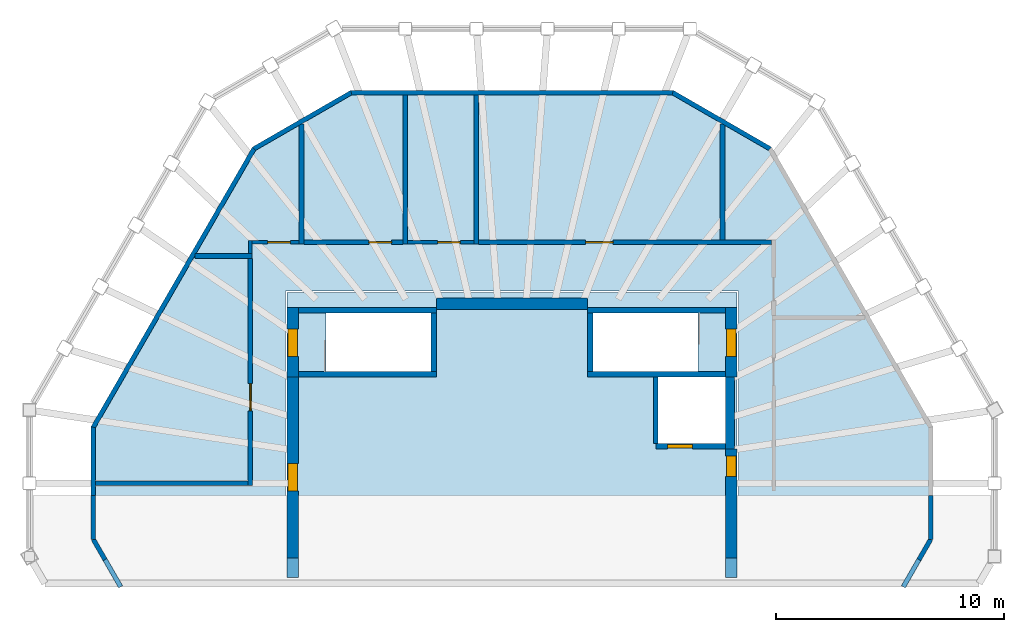
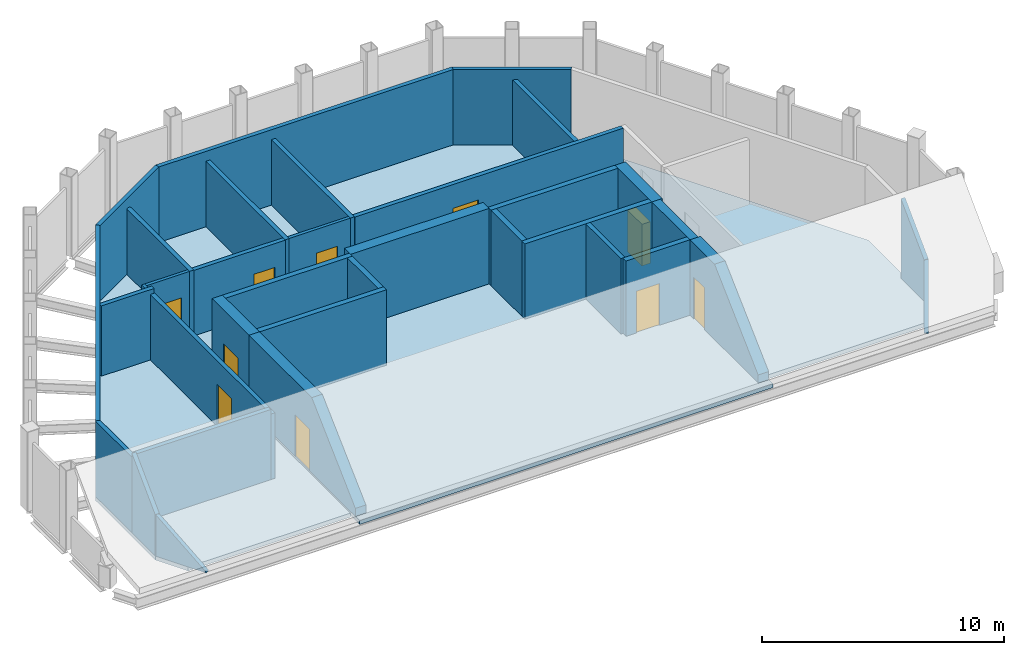
# One storey, part 2 of 4: 35 walls, 10 doors, 2 slabs, 10 openings.
"""IFC4 building model written with IfcOpenShell, lengths in metres."""

from ifc_helpers import new_model, si_unit, direction, frame, frame_2d, origin, place, context, subcontext, project, spatial, polyline, rectangle, outline, extrude, material, layer, layer_set, type_object, element, fill, save


model = new_model("IFC4")

# Units and contexts
model_context = context("Model", 3, precision=1e-05, world=origin(), true_north=direction((0.0, 1.0)))
body_context = subcontext(model_context, "Body", "Model", "MODEL_VIEW")
ifc_project = project(units=[si_unit("LENGTHUNIT", "METRE"), si_unit("AREAUNIT", "SQUARE_METRE"), si_unit("VOLUMEUNIT", "CUBIC_METRE"), si_unit("PLANEANGLEUNIT", "RADIAN"), si_unit("MASSUNIT", "GRAM", prefix="KILO")], contexts=[model_context])

# Site, building, storey
site_placement = place(None, origin())
site = spatial("IfcSite", under=ifc_project, at=site_placement, CompositionType="ELEMENT")
building_placement = place(site_placement, origin())
building = spatial("IfcBuilding", under=site, at=building_placement, Name="Frailejon Research Tower", CompositionType="ELEMENT")
storey_placement = place(building_placement, frame((0.0, 0.0, 364.60009765625)))
storey = spatial("IfcBuildingStorey", under=building, at=storey_placement, Name="L82", CompositionType="ELEMENT", Elevation=364.60009765625)

# Slabs
ifc_material_1 = material(Name="Concrete C50/60", Category="concrete")
ifc_layer_1 = layer(ifc_material_1, 0.199951171875)
ifc_layer_set_1 = layer_set([ifc_layer_1], Name="Core floor slab 200 C50/60")
slab_type_1 = type_object("IfcSlabType", Name="Core floor slab 200 C50/60", PredefinedType="FLOOR", material=ifc_layer_set_1)
slab_1_placement = place(storey_placement, frame((0.0, 0.0, -0.2001953125)))
element("IfcSlab", 1, at=slab_1_placement, inside=storey, type_object=slab_type_1, Name="Core floor slab", PredefinedType="FLOOR", context=body_context, shape_type="SweptSolid", body=[
    extrude(outline(polyline([(-9.85009765625, 8.35009765625), (9.85009765625, 8.35009765625), (9.85009765625, -4.480224609375), (-9.85009765625, -4.480224609375), (-9.85009765625, 8.35009765625)]), holes=[polyline([(9.35009765625, 1.75), (9.35009765625, 4.64990234375), (6.39990234375, 4.64990234375), (6.39990234375, 1.75), (9.35009765625, 1.75)]), polyline([(-8.14697265625, 4.89990234375), (-3.550048828125, 4.89990234375), (-3.550048828125, 7.449951171875), (-8.14697265625, 7.449951171875), (-8.14697265625, 4.89990234375)]), polyline([(8.14697265625, 7.449951171875), (3.550048828125, 7.449951171875), (3.550048828125, 4.89990234375), (8.14697265625, 4.89990234375), (8.14697265625, 7.449951171875)])]), origin(), (0.0, 0.0, 1.0), 0.2001953125),
])
ifc_material_2 = material(Name="Concrete C30/37", Category="concrete")
ifc_layer_2 = layer(ifc_material_2, 0.199951171875)
ifc_layer_set_2 = layer_set([ifc_layer_2], Name="Crown slab 200")
slab_type_2 = type_object("IfcSlabType", Name="Crown slab 200", PredefinedType="FLOOR", material=ifc_layer_set_2)
slab_2_placement = place(storey_placement, frame((0.0, 0.0, -0.2001953125)))
element("IfcSlab", 2, at=slab_2_placement, inside=storey, type_object=slab_type_2, Name="Floor slab L82", PredefinedType="FLOOR", context=body_context, shape_type="SweptSolid", body=[
    extrude(outline(polyline([(-11.36376953125, 14.71728515625), (-18.427490234375, 2.482666015625), (-18.427490234375, -2.482666015625), (-17.6494140625, -3.830078125), (-9.909912109375, -3.830078125), (-9.909912109375, 8.409912109375), (9.909912109375, 8.409912109375), (9.909912109375, -3.830078125), (17.6494140625, -3.830078125), (18.427490234375, -2.482666015625), (18.427490234375, 2.482666015625), (11.36376953125, 14.71728515625), (7.063720703125, 17.199951171875), (-7.063720703125, 17.199951171875), (-11.36376953125, 14.71728515625)])), origin(), (0.0, 0.0, 1.0), 0.2001953125),
])

# Wall
ifc_material_3 = material(Name="Concrete C50/60", Category="concrete")
ifc_layer_3 = layer(ifc_material_3, 0.39990234375)
ifc_layer_set_3 = layer_set([ifc_layer_3], Name="Core shear wall 400 C50/60")
wall_type_1 = type_object("IfcWallType", Name="Core shear wall 400 C50/60", PredefinedType="SHEAR", material=ifc_layer_set_3)
wall_1_placement = place(storey_placement, frame((9.550048828125, 1.5, 0.0), z_axis=(0.0, 0.0, 1.0), x_axis=(0.0, 1.0, 0.0)))
element("IfcWall", 3, at=wall_1_placement, inside=storey, type_object=wall_type_1, Name="Core shear wall", PredefinedType="SHEAR", context=body_context, shape_type="SweptSolid", body=[
    extrude(rectangle(XDim=3.14990234375, YDim=0.39990234375, at=frame_2d((1.574951171875, 0.0))), origin(), (0.0, 0.0, 1.0), 3.7998046875),
])

# Wall, opening, door
ifc_material_4 = material(Name="Concrete C50/60", Category="concrete")
ifc_layer_4 = layer(ifc_material_4, 0.5)
ifc_layer_set_4 = layer_set([ifc_layer_4], Name="Core shear wall 500 C50/60")
wall_type_2 = type_object("IfcWallType", Name="Core shear wall 500 C50/60", PredefinedType="SHEAR", material=ifc_layer_set_4)
wall_2_placement = place(storey_placement, frame((9.60009765625, -4.130126953125, 0.0), z_axis=(0.0, 0.0, 1.0), x_axis=(0.0, 1.0, 0.0)))
wall_2 = element("IfcWall", 4, at=wall_2_placement, inside=storey, type_object=wall_type_2, Name="Core shear wall", PredefinedType="SHEAR", context=body_context, shape_type="SweptSolid", body=[
    extrude(outline(polyline([(0.0, 0.0), (5.630126953125, 0.0), (5.630126953125, 3.7998046875), (3.60009765625, 3.7998046875), (0.0, 0.39990234375), (0.0, 0.0)])), frame((0.0, 0.25, 0.0), z_axis=(0.0, -1.0, 0.0), x_axis=(1.0, 0.0, 0.0)), (0.0, 0.0, 1.0), 0.5),
])
opening_1_placement = place(wall_2_placement, frame((4.43017578125, 0.0, 0.0)))
opening_1 = element("IfcOpeningElement", 5, at=opening_1_placement, cuts=wall_2, Name="Opening D8", PredefinedType="OPENING", context=body_context, shape_type="SweptSolid", body=[
    extrude(rectangle(XDim=0.89990234375, YDim=2.10009765625, at=frame_2d((0.449951171875, 1.050048828125))), frame((0.0, 0.260009765625, 0.0), z_axis=(0.0, -1.0, 0.0), x_axis=(1.0, 0.0, 0.0)), (0.0, 0.0, 1.0), 0.52001953125),
])
ifc_material_5 = material(Name="Steel", Category="steel")
door_type_1 = type_object("IfcDoorType", Name="Core room door", OperationType="SINGLE_SWING_LEFT", PredefinedType="DOOR", material=ifc_material_5)
door_1_placement = place(opening_1_placement, origin())
door_1 = element("IfcDoor", 6, at=door_1_placement, inside=storey, type_object=door_type_1, Name="Lift lobby door", OperationType="SINGLE_SWING_RIGHT", OverallHeight=2.10009765625, OverallWidth=0.89990234375, PredefinedType="DOOR", context=body_context, shape_type="SweptSolid", body=[
    extrude(rectangle(XDim=0.89990234375, YDim=2.10009765625, at=frame_2d((0.449951171875, 1.050048828125))), frame((0.0, 0.199951171875, 0.0), z_axis=(0.0, -1.0, 0.0), x_axis=(1.0, 0.0, 0.0)), (0.0, 0.0, 1.0), 0.39990234375),
])
fill(opening_1, door_1)

# Wall
wall_3_placement = place(storey_placement, frame((3.300048828125, 7.85009765625, 0.0), z_axis=(0.0, 0.0, 1.0), x_axis=(-1.0, 0.0, 0.0)))
element("IfcWall", 7, at=wall_3_placement, inside=storey, type_object=wall_type_2, Name="Core shear wall", PredefinedType="SHEAR", context=body_context, shape_type="SweptSolid", body=[
    extrude(rectangle(XDim=6.60009765625, YDim=0.5, at=frame_2d((3.300048828125, 0.0))), origin(), (0.0, 0.0, 1.0), 3.7998046875),
])

# Wall, opening, door
wall_4_placement = place(storey_placement, frame((-9.60009765625, 4.64990234375, 0.0), z_axis=(0.0, 0.0, 1.0), x_axis=(0.0, -1.0, 0.0)))
wall_4 = element("IfcWall", 8, at=wall_4_placement, inside=storey, type_object=wall_type_2, Name="Core shear wall", PredefinedType="SHEAR", context=body_context, shape_type="SweptSolid", body=[
    extrude(outline(polyline([(0.0, 0.0), (8.780029296875, 0.0), (8.7802734375, 0.39990234375), (5.18017578125, 3.7998046875), (0.0, 3.7998046875), (0.0, 0.0)])), frame((0.0, 0.25, 0.0), z_axis=(0.0, -1.0, 0.0), x_axis=(1.0, 0.0, 0.0)), (0.0, 0.0, 1.0), 0.5),
])
opening_2_placement = place(wall_4_placement, frame((3.7802734375, 0.0, 0.0)))
opening_2 = element("IfcOpeningElement", 9, at=opening_2_placement, cuts=wall_4, Name="Opening D6", PredefinedType="OPENING", context=body_context, shape_type="SweptSolid", body=[
    extrude(rectangle(XDim=1.199951171875, YDim=2.10009765625, at=frame_2d((0.60009765625, 1.050048828125))), frame((0.0, 0.260009765625, 0.0), z_axis=(0.0, -1.0, 0.0), x_axis=(1.0, 0.0, 0.0)), (0.0, 0.0, 1.0), 0.52001953125),
])
ifc_material_6 = material(Name="Steel", Category="steel")
door_type_2 = type_object("IfcDoorType", Name="Plant door", OperationType="SINGLE_SWING_LEFT", PredefinedType="DOOR", material=ifc_material_6)
door_2_placement = place(opening_2_placement, origin())
door_2 = element("IfcDoor", 10, at=door_2_placement, inside=storey, type_object=door_type_2, Name="Room door", OperationType="SINGLE_SWING_LEFT", OverallHeight=2.10009765625, OverallWidth=1.199951171875, PredefinedType="DOOR", context=body_context, shape_type="SweptSolid", body=[
    extrude(rectangle(XDim=1.199951171875, YDim=2.10009765625, at=frame_2d((0.60009765625, 1.050048828125))), frame((0.0, 0.199951171875, 0.0), z_axis=(0.0, -1.0, 0.0), x_axis=(1.0, 0.0, 0.0)), (0.0, 0.0, 1.0), 0.39990234375),
])
fill(opening_2, door_2)

wall_5_placement = place(storey_placement, frame((-9.60009765625, 4.64990234375, 0.0), z_axis=(0.0, 0.0, 1.0), x_axis=(0.0, 1.0, 0.0)))
wall_5 = element("IfcWall", 11, at=wall_5_placement, inside=storey, type_object=wall_type_2, Name="Core shear wall", PredefinedType="SHEAR", context=body_context, shape_type="SweptSolid", body=[
    extrude(rectangle(XDim=3.050048828125, YDim=0.5, at=frame_2d((1.52490234375, 0.0))), origin(), (0.0, 0.0, 1.0), 3.7998046875),
])
opening_3_placement = place(wall_5_placement, frame((0.89990234375, 0.0, 0.0)))
opening_3 = element("IfcOpeningElement", 12, at=opening_3_placement, cuts=wall_5, Name="Opening D7", PredefinedType="OPENING", context=body_context, shape_type="SweptSolid", body=[
    extrude(rectangle(XDim=1.199951171875, YDim=2.10009765625, at=frame_2d((0.60009765625, 1.050048828125))), frame((0.0, 0.260009765625, 0.0), z_axis=(0.0, -1.0, 0.0), x_axis=(1.0, 0.0, 0.0)), (0.0, 0.0, 1.0), 0.52001953125),
])
ifc_material_7 = material(Name="Steel", Category="steel")
door_type_3 = type_object("IfcDoorType", Name="Stair exit door", OperationType="SINGLE_SWING_LEFT", PredefinedType="DOOR", material=ifc_material_7)
door_3_placement = place(opening_3_placement, origin())
door_3 = element("IfcDoor", 13, at=door_3_placement, inside=storey, type_object=door_type_3, Name="Stair door ST1", OperationType="SINGLE_SWING_LEFT", OverallHeight=2.10009765625, OverallWidth=1.199951171875, PredefinedType="DOOR", context=body_context, shape_type="SweptSolid", body=[
    extrude(rectangle(XDim=1.199951171875, YDim=2.10009765625, at=frame_2d((0.60009765625, 1.050048828125))), frame((0.0, 0.199951171875, 0.0), z_axis=(0.0, -1.0, 0.0), x_axis=(1.0, 0.0, 0.0)), (0.0, 0.0, 1.0), 0.39990234375),
])
fill(opening_3, door_3)

wall_6_placement = place(storey_placement, frame((9.60009765625, 4.64990234375, 0.0), z_axis=(0.0, 0.0, 1.0), x_axis=(0.0, 1.0, 0.0)))
wall_6 = element("IfcWall", 14, at=wall_6_placement, inside=storey, type_object=wall_type_2, Name="Core shear wall", PredefinedType="SHEAR", context=body_context, shape_type="SweptSolid", body=[
    extrude(rectangle(XDim=3.050048828125, YDim=0.5, at=frame_2d((1.52490234375, 0.0))), origin(), (0.0, 0.0, 1.0), 3.7998046875),
])
opening_4_placement = place(wall_6_placement, frame((0.89990234375, 0.0, 0.0)))
opening_4 = element("IfcOpeningElement", 15, at=opening_4_placement, cuts=wall_6, Name="Opening D7", PredefinedType="OPENING", context=body_context, shape_type="SweptSolid", body=[
    extrude(rectangle(XDim=1.199951171875, YDim=2.10009765625, at=frame_2d((0.60009765625, 1.050048828125))), frame((0.0, 0.260009765625, 0.0), z_axis=(0.0, -1.0, 0.0), x_axis=(1.0, 0.0, 0.0)), (0.0, 0.0, 1.0), 0.52001953125),
])
door_4_placement = place(opening_4_placement, origin())
door_4 = element("IfcDoor", 16, at=door_4_placement, inside=storey, type_object=door_type_3, Name="Stair door ST3", OperationType="SINGLE_SWING_RIGHT", OverallHeight=2.10009765625, OverallWidth=1.199951171875, PredefinedType="DOOR", context=body_context, shape_type="SweptSolid", body=[
    extrude(rectangle(XDim=1.199951171875, YDim=2.10009765625, at=frame_2d((0.60009765625, 1.050048828125))), frame((0.0, 0.199951171875, 0.0), z_axis=(0.0, -1.0, 0.0), x_axis=(1.0, 0.0, 0.0)), (0.0, 0.0, 1.0), 0.39990234375),
])
fill(opening_4, door_4)

ifc_material_8 = material(Name="Gypsum board and masonry partition", Category="masonry")
ifc_layer_5 = layer(ifc_material_8, 0.14990234375)
ifc_layer_set_5 = layer_set([ifc_layer_5], Name="Corridor wall EI 60, gypsum on steel studs 150")
wall_type_3 = type_object("IfcWallType", Name="Corridor wall EI 60, gypsum on steel studs 150", PredefinedType="PARTITIONING", material=ifc_layer_set_5)
wall_7_placement = place(storey_placement, frame((-11.375, 10.550048828125, 0.0), z_axis=(0.0, 0.0, 1.0), x_axis=(1.0, 0.0, 0.0)))
wall_7 = element("IfcWall", 17, at=wall_7_placement, inside=storey, type_object=wall_type_3, Name="T:IW:L82:002", PredefinedType="PARTITIONING", context=body_context, shape_type="SweptSolid", body=[
    extrude(rectangle(XDim=2.061279296875, YDim=0.14990234375, at=frame_2d((1.03076171875, 0.0))), origin(), (0.0, 0.0, 1.0), 3.2998046875),
])
opening_5_placement = place(wall_7_placement, frame((0.67724609375, 0.0, 0.0)))
opening_5 = element("IfcOpeningElement", 18, at=opening_5_placement, cuts=wall_7, Name="Opening D1217", PredefinedType="OPENING", context=body_context, shape_type="SweptSolid", body=[
    extrude(rectangle(XDim=1.0, YDim=2.10009765625, at=frame_2d((0.5, 1.050048828125))), frame((0.0, 0.0849609375, 0.0), z_axis=(0.0, -1.0, 0.0), x_axis=(1.0, 0.0, 0.0)), (0.0, 0.0, 1.0), 0.169921875),
])
ifc_material_9 = material(Name="Timber door leaf", Category="wood")
door_type_4 = type_object("IfcDoorType", Name="Door single leaf, timber, steel frame 1000", OperationType="NOTDEFINED", PredefinedType="DOOR", material=ifc_material_9)
door_5_placement = place(opening_5_placement, origin())
door_5 = element("IfcDoor", 19, at=door_5_placement, inside=storey, type_object=door_type_4, Name="D1217", OperationType="SINGLE_SWING_RIGHT", OverallHeight=2.10009765625, OverallWidth=1.0, PredefinedType="DOOR", context=body_context, shape_type="SweptSolid", body=[
    extrude(rectangle(XDim=1.0, YDim=2.10009765625, at=frame_2d((0.5, 1.050048828125))), frame((0.0, 0.02490234375, 0.0), z_axis=(0.0, -1.0, 0.0), x_axis=(1.0, 0.0, 0.0)), (0.0, 0.0, 1.0), 0.050048828125),
])
fill(opening_5, door_5)

wall_8_placement = place(storey_placement, frame((-4.572265625, 10.550048828125, 0.0), z_axis=(0.0, 0.0, 1.0), x_axis=(1.0, 0.0, 0.0)))
wall_8 = element("IfcWall", 20, at=wall_8_placement, inside=storey, type_object=wall_type_3, Name="T:IW:L82:003", PredefinedType="PARTITIONING", context=body_context, shape_type="SweptSolid", body=[
    extrude(rectangle(XDim=2.914794921875, YDim=0.14990234375, at=frame_2d((1.45751953125, 0.0))), origin(), (0.0, 0.0, 1.0), 3.2998046875),
])
opening_6_placement = place(wall_8_placement, frame((1.311279296875, 0.0, 0.0)))
opening_6 = element("IfcOpeningElement", 21, at=opening_6_placement, cuts=wall_8, Name="Opening D1215", PredefinedType="OPENING", context=body_context, shape_type="SweptSolid", body=[
    extrude(rectangle(XDim=1.0, YDim=2.10009765625, at=frame_2d((0.5, 1.050048828125))), frame((0.0, 0.0849609375, 0.0), z_axis=(0.0, -1.0, 0.0), x_axis=(1.0, 0.0, 0.0)), (0.0, 0.0, 1.0), 0.169921875),
])
door_6_placement = place(opening_6_placement, origin())
door_6 = element("IfcDoor", 22, at=door_6_placement, inside=storey, type_object=door_type_4, Name="D1215", OperationType="SINGLE_SWING_LEFT", OverallHeight=2.10009765625, OverallWidth=1.0, PredefinedType="DOOR", context=body_context, shape_type="SweptSolid", body=[
    extrude(rectangle(XDim=1.0, YDim=2.10009765625, at=frame_2d((0.5, 1.050048828125))), frame((0.0, 0.02490234375, 0.0), z_axis=(0.0, -1.0, 0.0), x_axis=(1.0, 0.0, 0.0)), (0.0, 0.0, 1.0), 0.050048828125),
])
fill(opening_6, door_6)

# Walls
wall_9_placement = place(storey_placement, frame((-11.449951171875, 10.048828125, 0.0), z_axis=(0.0, 0.0, 1.0), x_axis=(0.0, 1.0, 0.0)))
element("IfcWall", 23, at=wall_9_placement, inside=storey, type_object=wall_type_3, Name="T:IW:L82:004", PredefinedType="PARTITIONING", context=body_context, shape_type="SweptSolid", body=[
    extrude(rectangle(XDim=0.576171875, YDim=0.14990234375, at=frame_2d((0.2880859375, 0.0))), origin(), (0.0, 0.0, 1.0), 3.2998046875),
])
ifc_material_10 = material(Name="Aluminium louvre cladding panel", Category="aluminium")
ifc_layer_6 = layer(ifc_material_10, 0.199951171875)
ifc_layer_set_6 = layer_set([ifc_layer_6], Name="Crown louvred wall 200")
wall_type_4 = type_object("IfcWallType", Name="Crown louvred wall 200", PredefinedType="SOLIDWALL", material=ifc_layer_set_6)
wall_10_placement = place(storey_placement, frame((18.327392578125, -2.455810546875, 0.0), z_axis=(0.0, 0.0, 1.0), x_axis=(0.0, 1.0, 0.0)))
element("IfcWall", 24, at=wall_10_placement, inside=storey, type_object=wall_type_4, Name="Crown louvred wall L82", PredefinedType="SOLIDWALL", context=body_context, shape_type="SweptSolid", body=[
    extrude(outline(polyline([(0.0, 0.0), (1.925537109375, 0.0), (1.925537109375, 4.0), (0.0, 2.07421875), (0.0, 0.0)])), frame((0.0, 0.10009765625, 0.0), z_axis=(0.0, -1.0, 0.0), x_axis=(1.0, 0.0, 0.0)), (0.0, 0.0, 1.0), 0.199951171875),
])
wall_11_placement = place(storey_placement, frame((11.29052734375, 14.644287109375, 0.0), z_axis=(0.0, 0.0, 1.0), x_axis=(-0.86601671623, 0.500015046984, 0.0)))
element("IfcWall", 25, at=wall_11_placement, inside=storey, type_object=wall_type_4, Name="Crown louvred wall L82", PredefinedType="SOLIDWALL", context=body_context, shape_type="SweptSolid", body=[
    extrude(outline(polyline([(-0.02685546875, -0.10009765625), (4.938232421875, -0.10009765625), (4.884521484375, 0.10009765625), (0.02685546875, 0.10009765625), (-0.02685546875, -0.10009765625)])), origin(), (0.0, 0.0, 1.0), 3.7998046875),
])
wall_12_placement = place(storey_placement, frame((7.037109375, 17.10009765625, 0.0), z_axis=(0.0, 0.0, 1.0), x_axis=(-1.0, 0.0, 0.0)))
element("IfcWall", 26, at=wall_12_placement, inside=storey, type_object=wall_type_4, Name="Crown louvred wall L82", PredefinedType="SOLIDWALL", context=body_context, shape_type="SweptSolid", body=[
    extrude(outline(polyline([(-0.02685546875, -0.10009765625), (14.10107421875, -0.10009765625), (14.04736328125, 0.10009765625), (0.02685546875, 0.10009765625), (-0.02685546875, -0.10009765625)])), origin(), (0.0, 0.0, 1.0), 3.7998046875),
])
wall_13_placement = place(storey_placement, frame((-7.037109375, 17.10009765625, 0.0), z_axis=(0.0, 0.0, 1.0), x_axis=(-0.86601671623, -0.500015046984, 0.0)))
element("IfcWall", 27, at=wall_13_placement, inside=storey, type_object=wall_type_4, Name="Crown louvred wall L82", PredefinedType="SOLIDWALL", context=body_context, shape_type="SweptSolid", body=[
    extrude(outline(polyline([(-0.02685546875, -0.10009765625), (4.938232421875, -0.10009765625), (4.884521484375, 0.10009765625), (0.02685546875, 0.10009765625), (-0.02685546875, -0.10009765625)])), origin(), (0.0, 0.0, 1.0), 3.7998046875),
])
wall_14_placement = place(storey_placement, frame((-11.29052734375, 14.644287109375, 0.0), z_axis=(0.0, 0.0, 1.0), x_axis=(-0.499991740577, -0.866030172312, 0.0)))
element("IfcWall", 28, at=wall_14_placement, inside=storey, type_object=wall_type_4, Name="Crown louvred wall L82", PredefinedType="SOLIDWALL", context=body_context, shape_type="SweptSolid", body=[
    extrude(outline(polyline([(-0.02685546875, -0.10009765625), (14.100830078125, -0.10009765625), (14.047119140625, 0.10009765625), (0.02685546875, 0.10009765625), (-0.02685546875, -0.10009765625)])), origin(), (0.0, 0.0, 1.0), 3.7998046875),
])
wall_15_placement = place(storey_placement, frame((-18.327392578125, 2.455810546875, 0.0), z_axis=(0.0, 0.0, 1.0), x_axis=(0.0, -1.0, 0.0)))
element("IfcWall", 29, at=wall_15_placement, inside=storey, type_object=wall_type_4, Name="Crown louvred wall L82", PredefinedType="SOLIDWALL", context=body_context, shape_type="SweptSolid", body=[
    extrude(outline(polyline([(-0.02685546875, -0.10009765625), (2.986083984375, -0.10009765625), (2.986083984375, 0.10009765625), (0.02685546875, 0.10009765625), (-0.02685546875, -0.10009765625)])), origin(), (0.0, 0.0, 1.0), 3.7998046875),
])
wall_16_placement = place(storey_placement, frame((-18.327392578125, -0.5302734375, 0.0), z_axis=(0.0, 0.0, 1.0), x_axis=(0.0, -1.0, 0.0)))
element("IfcWall", 30, at=wall_16_placement, inside=storey, type_object=wall_type_4, Name="Crown louvred wall L82", PredefinedType="SOLIDWALL", context=body_context, shape_type="SweptSolid", body=[
    extrude(outline(polyline([(0.0, 0.0), (1.925537109375, 0.0), (1.925537109375, 2.07421875), (0.0, 4.0), (0.0, 0.0)])), frame((0.0, 0.10009765625, 0.0), z_axis=(0.0, -1.0, 0.0), x_axis=(1.0, 0.0, 0.0)), (0.0, 0.0, 1.0), 0.199951171875),
])
wall_17_placement = place(storey_placement, frame((-18.327392578125, -2.455810546875, 0.0), z_axis=(0.0, 0.0, 1.0), x_axis=(0.499943030081, -0.866058292884, 0.0)))
element("IfcWall", 31, at=wall_17_placement, inside=storey, type_object=wall_type_4, Name="Crown louvred wall L82", PredefinedType="SOLIDWALL", context=body_context, shape_type="SweptSolid", body=[
    extrude(outline(polyline([(0.0, 0.0), (2.395263671875, 0.0), (2.395263671875, 0.02978515625), (0.0, 2.07421875), (0.0, 0.0)])), frame((0.0, 0.10009765625, 0.0), z_axis=(0.0, -1.0, 0.0), x_axis=(1.0, 0.0, 0.0)), (0.0, 0.0, 1.0), 0.199951171875),
])
wall_18_placement = place(storey_placement, frame((17.1298828125, -4.5302734375, 0.0), z_axis=(0.0, 0.0, 1.0), x_axis=(0.499943030081, 0.866058292884, 0.0)))
element("IfcWall", 32, at=wall_18_placement, inside=storey, type_object=wall_type_4, Name="Crown louvred wall L82", PredefinedType="SOLIDWALL", context=body_context, shape_type="SweptSolid", body=[
    extrude(outline(polyline([(0.0, 0.0), (2.395263671875, 0.0), (2.395263671875, 2.07421875), (0.0, 0.02978515625), (0.0, 0.0)])), frame((0.0, 0.10009765625, 0.0), z_axis=(0.0, -1.0, 0.0), x_axis=(1.0, 0.0, 0.0)), (0.0, 0.0, 1.0), 0.199951171875),
])

# Wall, opening, door
ifc_material_11 = material(Name="Gypsum board and masonry partition", Category="masonry")
ifc_layer_7 = layer(ifc_material_11, 0.199951171875)
ifc_layer_set_7 = layer_set([ifc_layer_7], Name="Plant enclosure wall, blockwork 200")
wall_type_5 = type_object("IfcWallType", Name="Plant enclosure wall, blockwork 200", PredefinedType="PARTITIONING", material=ifc_layer_set_7)
wall_19_placement = place(storey_placement, frame((-9.11376953125, 10.550048828125, 0.0), z_axis=(0.0, 0.0, 1.0), x_axis=(1.0, 0.0, 0.0)))
wall_19 = element("IfcWall", 33, at=wall_19_placement, inside=storey, type_object=wall_type_5, Name="T:IW:L82:005", PredefinedType="PARTITIONING", context=body_context, shape_type="SweptSolid", body=[
    extrude(rectangle(XDim=4.341552734375, YDim=0.199951171875, at=frame_2d((2.1708984375, 0.0))), origin(), (0.0, 0.0, 1.0), 3.2998046875),
])
opening_7_placement = place(wall_19_placement, frame((2.849609375, 0.0, 0.0)))
opening_7 = element("IfcOpeningElement", 34, at=opening_7_placement, cuts=wall_19, Name="Opening D1216", PredefinedType="OPENING", context=body_context, shape_type="SweptSolid", body=[
    extrude(rectangle(XDim=1.0, YDim=2.10009765625, at=frame_2d((0.5, 1.050048828125))), frame((0.0, 0.10986328125, 0.0), z_axis=(0.0, -1.0, 0.0), x_axis=(1.0, 0.0, 0.0)), (0.0, 0.0, 1.0), 0.219970703125),
])
ifc_material_12 = material(Name="Steel door leaf", Category="steel")
door_type_5 = type_object("IfcDoorType", Name="Door plant room, steel 1000", OperationType="NOTDEFINED", PredefinedType="DOOR", material=ifc_material_12)
door_7_placement = place(opening_7_placement, origin())
door_7 = element("IfcDoor", 35, at=door_7_placement, inside=storey, type_object=door_type_5, Name="D1216", OperationType="SINGLE_SWING_RIGHT", OverallHeight=2.10009765625, OverallWidth=1.0, PredefinedType="DOOR", context=body_context, shape_type="SweptSolid", body=[
    extrude(rectangle(XDim=1.0, YDim=2.10009765625, at=frame_2d((0.5, 1.050048828125))), frame((0.0, 0.02490234375, 0.0), z_axis=(0.0, -1.0, 0.0), x_axis=(1.0, 0.0, 0.0)), (0.0, 0.0, 1.0), 0.050048828125),
])
fill(opening_7, door_7)

wall_20_placement = place(storey_placement, frame((-1.45751953125, 10.550048828125, 0.0), z_axis=(0.0, 0.0, 1.0), x_axis=(1.0, 0.0, 0.0)))
wall_20 = element("IfcWall", 36, at=wall_20_placement, inside=storey, type_object=wall_type_5, Name="T:IW:L82:006", PredefinedType="PARTITIONING", context=body_context, shape_type="SweptSolid", body=[
    extrude(rectangle(XDim=12.8076171875, YDim=0.199951171875, at=frame_2d((6.40380859375, 0.0))), origin(), (0.0, 0.0, 1.0), 3.2998046875),
])
opening_8_placement = place(wall_20_placement, frame((4.685546875, 0.0, 0.0)))
opening_8 = element("IfcOpeningElement", 37, at=opening_8_placement, cuts=wall_20, Name="Opening D1214", PredefinedType="OPENING", context=body_context, shape_type="SweptSolid", body=[
    extrude(rectangle(XDim=1.199951171875, YDim=2.10009765625, at=frame_2d((0.60009765625, 1.050048828125))), frame((0.0, 0.10986328125, 0.0), z_axis=(0.0, -1.0, 0.0), x_axis=(1.0, 0.0, 0.0)), (0.0, 0.0, 1.0), 0.219970703125),
])
ifc_material_13 = material(Name="Steel door leaf", Category="steel")
door_type_6 = type_object("IfcDoorType", Name="Door plant room, steel 1200", OperationType="NOTDEFINED", PredefinedType="DOOR", material=ifc_material_13)
door_8_placement = place(opening_8_placement, origin())
door_8 = element("IfcDoor", 38, at=door_8_placement, inside=storey, type_object=door_type_6, Name="D1214", OperationType="DOUBLE_DOOR_SINGLE_SWING", OverallHeight=2.10009765625, OverallWidth=1.199951171875, PredefinedType="DOOR", context=body_context, shape_type="SweptSolid", body=[
    extrude(rectangle(XDim=1.199951171875, YDim=2.10009765625, at=frame_2d((0.60009765625, 1.050048828125))), frame((0.0, 0.02490234375, 0.0), z_axis=(0.0, -1.0, 0.0), x_axis=(1.0, 0.0, 0.0)), (0.0, 0.0, 1.0), 0.050048828125),
])
fill(opening_8, door_8)

# Wall
wall_21_placement = place(storey_placement, frame((-18.2275390625, 0.0, 0.0), z_axis=(0.0, 0.0, 1.0), x_axis=(1.0, 0.0, 0.0)))
element("IfcWall", 39, at=wall_21_placement, inside=storey, type_object=wall_type_5, Name="T:IW:L82:008", PredefinedType="PARTITIONING", context=body_context, shape_type="SweptSolid", body=[
    extrude(rectangle(XDim=6.677490234375, YDim=0.199951171875, at=frame_2d((3.3388671875, 0.0))), origin(), (0.0, 0.0, 1.0), 3.539794921875),
])

# Wall, opening, door
wall_22_placement = place(storey_placement, frame((-11.449951171875, -0.10009765625, 0.0), z_axis=(0.0, 0.0, 1.0), x_axis=(0.0, 1.0, 0.0)))
wall_22 = element("IfcWall", 40, at=wall_22_placement, inside=storey, type_object=wall_type_5, Name="T:IW:L82:009", PredefinedType="PARTITIONING", context=body_context, shape_type="SweptSolid", body=[
    extrude(rectangle(XDim=9.948974609375, YDim=0.199951171875, at=frame_2d((4.974609375, 0.0))), origin(), (0.0, 0.0, 1.0), 3.2998046875),
])
opening_9_placement = place(wall_22_placement, frame((3.26708984375, 0.0, 0.0)))
opening_9 = element("IfcOpeningElement", 41, at=opening_9_placement, cuts=wall_22, Name="Opening D1218", PredefinedType="OPENING", context=body_context, shape_type="SweptSolid", body=[
    extrude(rectangle(XDim=1.199951171875, YDim=2.10009765625, at=frame_2d((0.60009765625, 1.050048828125))), frame((0.0, 0.10986328125, 0.0), z_axis=(0.0, -1.0, 0.0), x_axis=(1.0, 0.0, 0.0)), (0.0, 0.0, 1.0), 0.219970703125),
])
door_9_placement = place(opening_9_placement, origin())
door_9 = element("IfcDoor", 42, at=door_9_placement, inside=storey, type_object=door_type_6, Name="D1218", OperationType="DOUBLE_DOOR_SINGLE_SWING", OverallHeight=2.10009765625, OverallWidth=1.199951171875, PredefinedType="DOOR", context=body_context, shape_type="SweptSolid", body=[
    extrude(rectangle(XDim=1.199951171875, YDim=2.10009765625, at=frame_2d((0.60009765625, 1.050048828125))), frame((0.0, 0.02490234375, 0.0), z_axis=(0.0, -1.0, 0.0), x_axis=(1.0, 0.0, 0.0)), (0.0, 0.0, 1.0), 0.050048828125),
])
fill(opening_9, door_9)

# Walls
wall_23_placement = place(storey_placement, frame((9.2138671875, 10.64990234375, 0.0), z_axis=(0.0, 0.0, 1.0), x_axis=(0.0, 1.0, 0.0)))
element("IfcWall", 43, at=wall_23_placement, inside=storey, type_object=wall_type_5, Name="T:IW:L82:011", PredefinedType="PARTITIONING", context=body_context, shape_type="SweptSolid", body=[
    extrude(rectangle(XDim=5.077880859375, YDim=0.199951171875, at=frame_2d((2.5390625, 0.0))), origin(), (0.0, 0.0, 1.0), 3.2998046875),
])
for number, where, z_axis, x_axis, name in (
    (44, (-1.557373046875, 10.47509765625, 0.0), (0.0, 0.0, 1.0), (0.0, 1.0, 0.0), "T:IW:L82:012"),
    (45, (-4.67236328125, 10.47509765625, 0.0), (0.0, 0.0, 1.0), (0.0, 1.0, 0.0), "T:IW:L82:013"),
):
    element("IfcWall", number, at=place(storey_placement, frame(where, z_axis=z_axis, x_axis=x_axis)), inside=storey, type_object=wall_type_5, Name=name, PredefinedType="PARTITIONING", context=body_context, shape_type="SweptSolid", body=[
        extrude(rectangle(XDim=6.52490234375, YDim=0.199951171875, at=frame_2d((3.262451171875, 0.0))), origin(), (0.0, 0.0, 1.0), 3.2998046875),
    ])
wall_24_placement = place(storey_placement, frame((-9.2138671875, 10.47509765625, 0.0), z_axis=(0.0, 0.0, 1.0), x_axis=(0.0, 1.0, 0.0)))
element("IfcWall", 46, at=wall_24_placement, inside=storey, type_object=wall_type_5, Name="T:IW:L82:014", PredefinedType="PARTITIONING", context=body_context, shape_type="SweptSolid", body=[
    extrude(rectangle(XDim=5.252685546875, YDim=0.199951171875, at=frame_2d((2.62646484375, 0.0))), origin(), (0.0, 0.0, 1.0), 3.2998046875),
])
wall_25_placement = place(storey_placement, frame((-13.885986328125, 9.94873046875, 0.0), z_axis=(0.0, 0.0, 1.0), x_axis=(1.0, 0.0, 0.0)))
element("IfcWall", 47, at=wall_25_placement, inside=storey, type_object=wall_type_5, Name="T:IW:L82:015", PredefinedType="PARTITIONING", context=body_context, shape_type="SweptSolid", body=[
    extrude(rectangle(XDim=2.510986328125, YDim=0.199951171875, at=frame_2d((1.25537109375, 0.0))), origin(), (0.0, 0.0, 1.0), 3.539794921875),
])
ifc_material_14 = material(Name="Concrete C50/60", Category="concrete")
ifc_layer_8 = layer(ifc_material_14, 0.199951171875)
ifc_layer_set_8 = layer_set([ifc_layer_8], Name="Shaft wall 200 C50/60")
wall_type_6 = type_object("IfcWallType", Name="Shaft wall 200 C50/60", PredefinedType="SOLIDWALL", material=ifc_layer_set_8)
wall_26_placement = place(storey_placement, frame((6.300048828125, 1.75, 0.0), z_axis=(0.0, 0.0, 1.0), x_axis=(0.0, 1.0, 0.0)))
element("IfcWall", 48, at=wall_26_placement, inside=storey, type_object=wall_type_6, Name="Shaft wall", PredefinedType="SOLIDWALL", context=body_context, shape_type="SweptSolid", body=[
    extrude(rectangle(XDim=2.89990234375, YDim=0.199951171875, at=frame_2d((1.449951171875, 0.0))), origin(), (0.0, 0.0, 1.0), 3.7998046875),
])
ifc_material_15 = material(Name="Concrete C50/60", Category="concrete")
ifc_layer_9 = layer(ifc_material_15, 0.25)
ifc_layer_set_9 = layer_set([ifc_layer_9], Name="Shaft wall 250 C50/60")
wall_type_7 = type_object("IfcWallType", Name="Shaft wall 250 C50/60", PredefinedType="SOLIDWALL", material=ifc_layer_set_9)
wall_27_placement = place(storey_placement, frame((-3.425048828125, 4.89990234375, 0.0), z_axis=(0.0, 0.0, 1.0), x_axis=(0.0, 1.0, 0.0)))
element("IfcWall", 49, at=wall_27_placement, inside=storey, type_object=wall_type_7, Name="Shaft wall", PredefinedType="SOLIDWALL", context=body_context, shape_type="SweptSolid", body=[
    extrude(rectangle(XDim=2.550048828125, YDim=0.25, at=frame_2d((1.27490234375, 0.0))), origin(), (0.0, 0.0, 1.0), 3.7998046875),
])
for number, where, z_axis, x_axis, name in (
    (50, (-9.35009765625, 4.77490234375, 0.0), (0.0, 0.0, 1.0), (1.0, 0.0, 0.0), "Shaft wall"),
    (51, (-9.35009765625, 7.574951171875, 0.0), (0.0, 0.0, 1.0), (1.0, 0.0, 0.0), "Shaft wall"),
):
    element("IfcWall", number, at=place(storey_placement, frame(where, z_axis=z_axis, x_axis=x_axis)), inside=storey, type_object=wall_type_7, Name=name, PredefinedType="SOLIDWALL", context=body_context, shape_type="SweptSolid", body=[
        extrude(rectangle(XDim=6.050048828125, YDim=0.25, at=frame_2d((3.02490234375, 0.0))), origin(), (0.0, 0.0, 1.0), 3.7998046875),
    ])
wall_28_placement = place(storey_placement, frame((3.425048828125, 4.89990234375, 0.0), z_axis=(0.0, 0.0, 1.0), x_axis=(0.0, 1.0, 0.0)))
element("IfcWall", 52, at=wall_28_placement, inside=storey, type_object=wall_type_7, Name="Shaft wall", PredefinedType="SOLIDWALL", context=body_context, shape_type="SweptSolid", body=[
    extrude(rectangle(XDim=2.550048828125, YDim=0.25, at=frame_2d((1.27490234375, 0.0))), origin(), (0.0, 0.0, 1.0), 3.7998046875),
])
for number, where, z_axis, x_axis, name in (
    (53, (3.300048828125, 4.77490234375, 0.0), (0.0, 0.0, 1.0), (1.0, 0.0, 0.0), "Shaft wall"),
    (54, (3.300048828125, 7.574951171875, 0.0), (0.0, 0.0, 1.0), (1.0, 0.0, 0.0), "Shaft wall"),
):
    element("IfcWall", number, at=place(storey_placement, frame(where, z_axis=z_axis, x_axis=x_axis)), inside=storey, type_object=wall_type_7, Name=name, PredefinedType="SOLIDWALL", context=body_context, shape_type="SweptSolid", body=[
        extrude(rectangle(XDim=6.050048828125, YDim=0.25, at=frame_2d((3.02490234375, 0.0))), origin(), (0.0, 0.0, 1.0), 3.7998046875),
    ])

# Wall, opening, door
wall_29_placement = place(storey_placement, frame((6.300048828125, 1.625, 0.0), z_axis=(0.0, 0.0, 1.0), x_axis=(1.0, 0.0, 0.0)))
wall_29 = element("IfcWall", 55, at=wall_29_placement, inside=storey, type_object=wall_type_7, Name="Shaft wall", PredefinedType="SOLIDWALL", context=body_context, shape_type="SweptSolid", body=[
    extrude(rectangle(XDim=3.050048828125, YDim=0.25, at=frame_2d((1.52490234375, 0.0))), origin(), (0.0, 0.0, 1.0), 3.7998046875),
])
opening_10_placement = place(wall_29_placement, frame((0.5, 0.0, 0.0)))
opening_10 = element("IfcOpeningElement", 56, at=opening_10_placement, cuts=wall_29, Name="Opening LD", PredefinedType="OPENING", context=body_context, shape_type="SweptSolid", body=[
    extrude(rectangle(XDim=1.10009765625, YDim=2.10009765625, at=frame_2d((0.550048828125, 1.050048828125))), frame((0.0, 0.135009765625, 0.0), z_axis=(0.0, -1.0, 0.0), x_axis=(1.0, 0.0, 0.0)), (0.0, 0.0, 1.0), 0.27001953125),
])
ifc_material_16 = material(Name="Steel", Category="steel")
door_type_7 = type_object("IfcDoorType", Name="Lift landing door", OperationType="DOUBLE_DOOR_SLIDING", PredefinedType="DOOR", material=ifc_material_16)
door_10_placement = place(opening_10_placement, origin())
door_10 = element("IfcDoor", 57, at=door_10_placement, inside=storey, type_object=door_type_7, Name="Lift landing door", OperationType="DOUBLE_DOOR_SLIDING", OverallHeight=2.10009765625, OverallWidth=1.10009765625, PredefinedType="DOOR", context=body_context, shape_type="SweptSolid", body=[
    extrude(rectangle(XDim=1.10009765625, YDim=2.10009765625, at=frame_2d((0.550048828125, 1.050048828125))), frame((0.0, 0.074951171875, 0.0), z_axis=(0.0, -1.0, 0.0), x_axis=(1.0, 0.0, 0.0)), (0.0, 0.0, 1.0), 0.14990234375),
])
fill(opening_10, door_10)

save(model, "model.ifc")
